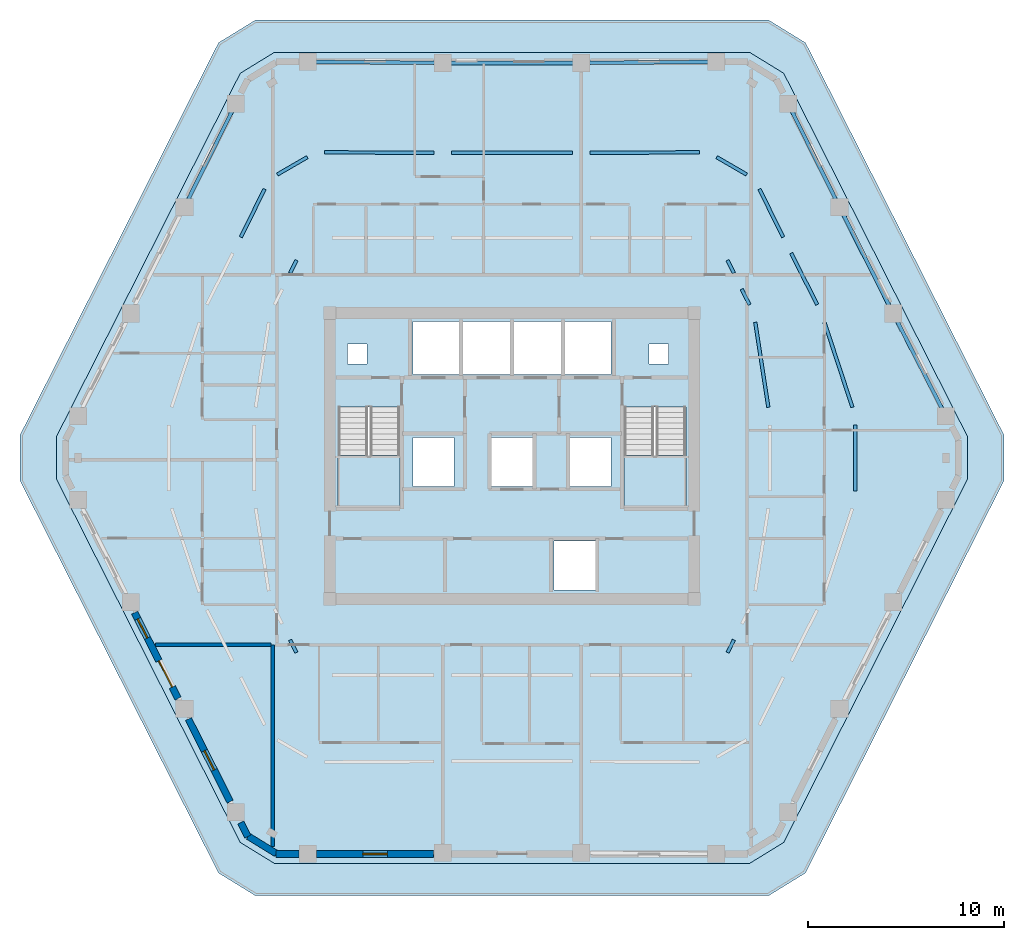
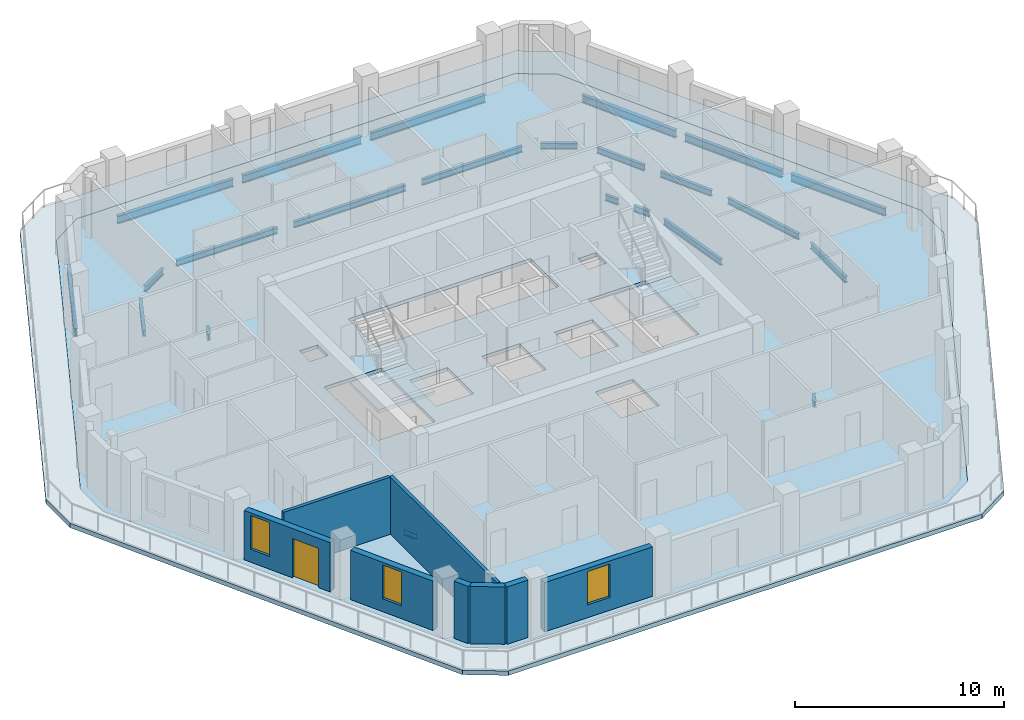
# One storey, part 2 of 10: 23 beams, 8 walls, 4 slabs, 3 windows, 1 door, 4 openings, 2 elements without a shape of their own.
"""IFC4 building model written with IfcOpenShell, lengths in metres."""

from ifc_helpers import new_model, si_unit, direction, frame, frame_2d, origin, origin_2d, place, context, subcontext, project, spatial, polyline, rectangle, i_section, outline, extrude, material, layer, layer_set, material_profile, profile_set, type_object, element, fill, aggregate, save


model = new_model("IFC4")

# Units and contexts
model_context = context("Model", 3, precision=1e-05, world=origin(), true_north=direction((0.0, 1.0)))
body_context = subcontext(model_context, "Body", "Model", "MODEL_VIEW")
ifc_project = project(units=[si_unit("LENGTHUNIT", "METRE"), si_unit("AREAUNIT", "SQUARE_METRE"), si_unit("VOLUMEUNIT", "CUBIC_METRE"), si_unit("PLANEANGLEUNIT", "RADIAN"), si_unit("MASSUNIT", "GRAM", prefix="KILO")], contexts=[model_context])

# Site, building, storey
site_placement = place(None, origin())
site = spatial("IfcSite", under=ifc_project, at=site_placement, CompositionType="ELEMENT")
building_placement = place(site_placement, origin())
building = spatial("IfcBuilding", under=site, at=building_placement, Name="Cinnabar Lancet Tower", CompositionType="ELEMENT")
storey_placement = place(building_placement, frame((0.0, 0.0, 171.89990234375)))
storey = spatial("IfcBuildingStorey", under=building, at=storey_placement, Name="L45", CompositionType="ELEMENT", Elevation=171.89990234375)

# Beams
ifc_material_1 = material(Name="Structural steel S355", Category="steel")
ifc_material_profile_1 = material_profile(ifc_material_1, i_section(OverallWidth=0.17138671875, OverallDepth=0.35498046875, WebThickness=0.00732421875, FlangeThickness=0.011474609375, FilletRadius=0.01025390625, at=origin_2d()), Name="UKB 356x171x51")
ifc_profile_set_1 = profile_set([ifc_material_profile_1], Name="Structural steel S355")
beam_type_1 = type_object("IfcBeamType", Name="STR-BM-JST-356", PredefinedType="JOIST", material=ifc_profile_set_1)
for number, where, z_axis, x_axis, name in (
    (1, (21.077880859375, 16.510009765625, -0.3779296875), (0.445059329596, -0.895501084946, 0.0), (0.895501084946, 0.445059329596, 0.0), "L45 Secondary Floor Joist 6"),
    (2, (43.39892578125, 15.860107421875, -0.3779296875), (0.445059329596, 0.895501084946, 0.0), (-0.895501084946, 0.445059329596, 0.0), "L45 Secondary Floor Joist 16"),
):
    element("IfcBeam", number, at=place(storey_placement, frame(where, z_axis=z_axis, x_axis=x_axis)), inside=storey, type_object=beam_type_1, Name=name, PredefinedType="JOIST", context=body_context, shape_type="SweptSolid", body=[
        extrude(i_section(OverallWidth=0.17138671875, OverallDepth=0.35498046875, WebThickness=0.00732421875, FlangeThickness=0.011474609375, FilletRadius=0.01025390625, at=origin_2d()), origin(), (0.0, 0.0, 1.0), 0.725830078125),
    ])
beam_1_placement = place(storey_placement, frame((49.922119140625, 24.117919921875, -0.3779296875), z_axis=(0.0, 1.0, 0.0), x_axis=(-1.0, 0.0, 0.0)))
element("IfcBeam", 3, at=beam_1_placement, inside=storey, type_object=beam_type_1, Name="L45 Secondary Floor Joist 21", PredefinedType="JOIST", context=body_context, shape_type="SweptSolid", body=[
    extrude(i_section(OverallWidth=0.17138671875, OverallDepth=0.35498046875, WebThickness=0.00732421875, FlangeThickness=0.011474609375, FilletRadius=0.01025390625, at=origin_2d()), origin(), (0.0, 0.0, 1.0), 3.364013671875),
])
beam_2_placement = place(storey_placement, frame((49.77392578125, 28.382080078125, -0.3779296875), z_axis=(-0.311990611032, 0.950085184932, 0.0), x_axis=(-0.950085184932, -0.311990611032, 0.0)))
element("IfcBeam", 4, at=beam_2_placement, inside=storey, type_object=beam_type_1, Name="L45 Secondary Floor Joist 23", PredefinedType="JOIST", context=body_context, shape_type="SweptSolid", body=[
    extrude(i_section(OverallWidth=0.17138671875, OverallDepth=0.35498046875, WebThickness=0.00732421875, FlangeThickness=0.011474609375, FilletRadius=0.01025390625, at=origin_2d()), origin(), (0.0, 0.0, 1.0), 4.56689453125),
])
beam_3_placement = place(storey_placement, frame((45.485107421875, 28.382080078125, -0.3779296875), z_axis=(-0.152211804829, 0.988347897489, 0.0), x_axis=(-0.988347897489, -0.152211804829, 0.0)))
element("IfcBeam", 5, at=beam_3_placement, inside=storey, type_object=beam_type_1, Name="L45 Secondary Floor Joist 24", PredefinedType="JOIST", context=body_context, shape_type="SweptSolid", body=[
    extrude(i_section(OverallWidth=0.17138671875, OverallDepth=0.35498046875, WebThickness=0.00732421875, FlangeThickness=0.011474609375, FilletRadius=0.01025390625, at=origin_2d()), origin(), (0.0, 0.0, 1.0), 4.39013671875),
])
beam_4_placement = place(storey_placement, frame((47.97509765625, 33.62109375, -0.3779296875), z_axis=(-0.449536558697, 0.89326193381, 0.0), x_axis=(-0.89326193381, -0.449536558697, 0.0)))
element("IfcBeam", 6, at=beam_4_placement, inside=storey, type_object=beam_type_1, Name="L45 Secondary Floor Joist 25", PredefinedType="JOIST", context=body_context, shape_type="SweptSolid", body=[
    extrude(i_section(OverallWidth=0.17138671875, OverallDepth=0.35498046875, WebThickness=0.00732421875, FlangeThickness=0.011474609375, FilletRadius=0.01025390625, at=origin_2d()), origin(), (0.0, 0.0, 1.0), 2.94091796875),
])
beam_5_placement = place(storey_placement, frame((44.52294921875, 33.62109375, -0.3779296875), z_axis=(-0.446438936501, 0.894814101351, 0.0), x_axis=(-0.894814101351, -0.446438936501, 0.0)))
element("IfcBeam", 7, at=beam_5_placement, inside=storey, type_object=beam_type_1, Name="L45 Secondary Floor Joist 26", PredefinedType="JOIST", context=body_context, shape_type="SweptSolid", body=[
    extrude(i_section(OverallWidth=0.17138671875, OverallDepth=0.35498046875, WebThickness=0.00732421875, FlangeThickness=0.011474609375, FilletRadius=0.01025390625, at=origin_2d()), origin(), (0.0, 0.0, 1.0), 0.882568359375),
])
beam_6_placement = place(storey_placement, frame((46.2451171875, 37.06396484375, -0.3779296875), z_axis=(-0.444749496282, 0.895655003646, 0.0), x_axis=(-0.895655003646, -0.444749496282, 0.0)))
element("IfcBeam", 8, at=beam_6_placement, inside=storey, type_object=beam_type_1, Name="L45 Secondary Floor Joist 27", PredefinedType="JOIST", context=body_context, shape_type="SweptSolid", body=[
    extrude(i_section(OverallWidth=0.17138671875, OverallDepth=0.35498046875, WebThickness=0.00732421875, FlangeThickness=0.011474609375, FilletRadius=0.01025390625, at=origin_2d()), origin(), (0.0, 0.0, 1.0), 2.736572265625),
])
beam_7_placement = place(storey_placement, frame((43.722900390625, 35.22802734375, -0.3779296875), z_axis=(-0.444406726282, 0.895825128937, 0.0), x_axis=(-0.895825128937, -0.444406726282, 0.0)))
element("IfcBeam", 9, at=beam_7_placement, inside=storey, type_object=beam_type_1, Name="L45 Secondary Floor Joist 28", PredefinedType="JOIST", context=body_context, shape_type="SweptSolid", body=[
    extrude(i_section(OverallWidth=0.17138671875, OverallDepth=0.35498046875, WebThickness=0.00732421875, FlangeThickness=0.011474609375, FilletRadius=0.01025390625, at=origin_2d()), origin(), (0.0, 0.0, 1.0), 0.731201171875),
])
beam_8_placement = place(storey_placement, frame((44.376953125, 40.262939453125, -0.3779296875), z_axis=(-0.86514260571, 0.501525943282, 0.0), x_axis=(-0.501525943282, -0.86514260571, 0.0)))
element("IfcBeam", 10, at=beam_8_placement, inside=storey, type_object=beam_type_1, Name="L45 Secondary Floor Joist 29", PredefinedType="JOIST", context=body_context, shape_type="SweptSolid", body=[
    extrude(i_section(OverallWidth=0.17138671875, OverallDepth=0.35498046875, WebThickness=0.00732421875, FlangeThickness=0.011474609375, FilletRadius=0.01025390625, at=origin_2d()), origin(), (0.0, 0.0, 1.0), 1.7685546875),
])
beam_9_placement = place(storey_placement, frame((41.966064453125, 41.39697265625, -0.3779296875), z_axis=(-0.999985483126, -0.005388277672, 0.0), x_axis=(0.005388277672, -0.999985483126, 0.0)))
element("IfcBeam", 11, at=beam_9_placement, inside=storey, type_object=beam_type_1, Name="L45 Secondary Floor Joist 30", PredefinedType="JOIST", context=body_context, shape_type="SweptSolid", body=[
    extrude(i_section(OverallWidth=0.17138671875, OverallDepth=0.35498046875, WebThickness=0.00732421875, FlangeThickness=0.011474609375, FilletRadius=0.01025390625, at=origin_2d()), origin(), (0.0, 0.0, 1.0), 5.572998046875),
])
beam_10_placement = place(storey_placement, frame((35.492919921875, 41.364990234375, -0.3779296875), z_axis=(-1.0, 0.0, 0.0), x_axis=(0.0, -1.0, 0.0)))
element("IfcBeam", 12, at=beam_10_placement, inside=storey, type_object=beam_type_1, Name="L45 Secondary Floor Joist 32", PredefinedType="JOIST", context=body_context, shape_type="SweptSolid", body=[
    extrude(i_section(OverallWidth=0.17138671875, OverallDepth=0.35498046875, WebThickness=0.00732421875, FlangeThickness=0.011474609375, FilletRadius=0.01025390625, at=origin_2d()), origin(), (0.0, 0.0, 1.0), 6.18603515625),
])
beam_11_placement = place(storey_placement, frame((28.406982421875, 41.366943359375, -0.3779296875), z_axis=(-0.999985483126, 0.005388277672, 0.0), x_axis=(-0.005388277672, -0.999985483126, 0.0)))
element("IfcBeam", 13, at=beam_11_placement, inside=storey, type_object=beam_type_1, Name="L45 Secondary Floor Joist 34", PredefinedType="JOIST", context=body_context, shape_type="SweptSolid", body=[
    extrude(i_section(OverallWidth=0.17138671875, OverallDepth=0.35498046875, WebThickness=0.00732421875, FlangeThickness=0.011474609375, FilletRadius=0.01025390625, at=origin_2d()), origin(), (0.0, 0.0, 1.0), 5.572998046875),
])
beam_12_placement = place(storey_placement, frame((21.952880859375, 41.14990234375, -0.3779296875), z_axis=(-0.865107876683, -0.501585846791, 0.0), x_axis=(0.501585846791, -0.865107876683, 0.0)))
element("IfcBeam", 14, at=beam_12_placement, inside=storey, type_object=beam_type_1, Name="L45 Secondary Floor Joist 36", PredefinedType="JOIST", context=body_context, shape_type="SweptSolid", body=[
    extrude(i_section(OverallWidth=0.17138671875, OverallDepth=0.35498046875, WebThickness=0.00732421875, FlangeThickness=0.011474609375, FilletRadius=0.01025390625, at=origin_2d()), origin(), (0.0, 0.0, 1.0), 1.768310546875),
])
beam_13_placement = place(storey_placement, frame((19.77197265625, 39.514892578125, -0.3779296875), z_axis=(-0.444749496282, -0.895655003646, 0.0), x_axis=(0.895655003646, -0.444749496282, 0.0)))
element("IfcBeam", 15, at=beam_13_placement, inside=storey, type_object=beam_type_1, Name="L45 Secondary Floor Joist 37", PredefinedType="JOIST", context=body_context, shape_type="SweptSolid", body=[
    extrude(i_section(OverallWidth=0.17138671875, OverallDepth=0.35498046875, WebThickness=0.00732421875, FlangeThickness=0.011474609375, FilletRadius=0.01025390625, at=origin_2d()), origin(), (0.0, 0.0, 1.0), 2.736572265625),
])
beam_14_placement = place(storey_placement, frame((21.402099609375, 35.883056640625, -0.3779296875), z_axis=(-0.444674613737, -0.895692183676, 0.0), x_axis=(0.895692183676, -0.444674613737, 0.0)))
element("IfcBeam", 16, at=beam_14_placement, inside=storey, type_object=beam_type_1, Name="L45 Secondary Floor Joist 38", PredefinedType="JOIST", context=body_context, shape_type="SweptSolid", body=[
    extrude(i_section(OverallWidth=0.17138671875, OverallDepth=0.35498046875, WebThickness=0.00732421875, FlangeThickness=0.011474609375, FilletRadius=0.01025390625, at=origin_2d()), origin(), (0.0, 0.0, 1.0), 0.731201171875),
])
ifc_material_2 = material(Name="Structural steel S355", Category="steel")
ifc_material_profile_2 = material_profile(ifc_material_2, i_section(OverallWidth=0.1904296875, OverallDepth=0.45703125, WebThickness=0.009033203125, FlangeThickness=0.014404296875, FilletRadius=0.01025390625, at=origin_2d()), Name="UKB 457x191x74")
ifc_profile_set_2 = profile_set([ifc_material_profile_2], Name="Structural steel S355")
beam_type_2 = type_object("IfcBeamType", Name="STR-BM-SPN-457", PredefinedType="SPANDREL", material=ifc_profile_set_2)
beam_15_placement = place(storey_placement, frame((54.43310546875, 28.154052734375, -0.428955078125), z_axis=(-0.456646764028, 0.889648094981, 0.0), x_axis=(-0.889648094981, -0.456646764028, 0.0)))
element("IfcBeam", 17, at=beam_15_placement, inside=storey, type_object=beam_type_2, Name="L45 Perimeter Spandrel 9", PredefinedType="SPANDREL", context=body_context, shape_type="SweptSolid", body=[
    extrude(i_section(OverallWidth=0.1904296875, OverallDepth=0.45703125, WebThickness=0.009033203125, FlangeThickness=0.014404296875, FilletRadius=0.01025390625, at=origin_2d()), origin(), (0.0, 0.0, 1.0), 5.3896484375),
])
beam_16_placement = place(storey_placement, frame((51.7451171875, 33.39404296875, -0.428955078125), z_axis=(-0.450395996562, 0.892828900899, 0.0), x_axis=(-0.892828900899, -0.450395996562, 0.0)))
element("IfcBeam", 18, at=beam_16_placement, inside=storey, type_object=beam_type_2, Name="L45 Perimeter Spandrel 10", PredefinedType="SPANDREL", context=body_context, shape_type="SweptSolid", body=[
    extrude(i_section(OverallWidth=0.1904296875, OverallDepth=0.45703125, WebThickness=0.009033203125, FlangeThickness=0.014404296875, FilletRadius=0.01025390625, at=origin_2d()), origin(), (0.0, 0.0, 1.0), 5.579833984375),
])
beam_17_placement = place(storey_placement, frame((49.008056640625, 38.822998046875, -0.428955078125), z_axis=(-0.444932986899, 0.895563865489, 0.0), x_axis=(-0.895563865489, -0.444932986899, 0.0)))
element("IfcBeam", 19, at=beam_17_placement, inside=storey, type_object=beam_type_2, Name="L45 Perimeter Spandrel 11", PredefinedType="SPANDREL", context=body_context, shape_type="SweptSolid", body=[
    extrude(i_section(OverallWidth=0.1904296875, OverallDepth=0.45703125, WebThickness=0.009033203125, FlangeThickness=0.014404296875, FilletRadius=0.01025390625, at=origin_2d()), origin(), (0.0, 0.0, 1.0), 5.398681640625),
])
beam_18_placement = place(storey_placement, frame((42.571044921875, 46.009033203125, -0.428955078125), z_axis=(-0.999970401924, -0.007693846685, 0.0), x_axis=(0.007693846685, -0.999970401924, 0.0)))
element("IfcBeam", 20, at=beam_18_placement, inside=storey, type_object=beam_type_2, Name="L45 Perimeter Spandrel 13", PredefinedType="SPANDREL", context=body_context, shape_type="SweptSolid", body=[
    extrude(i_section(OverallWidth=0.1904296875, OverallDepth=0.45703125, WebThickness=0.009033203125, FlangeThickness=0.014404296875, FilletRadius=0.01025390625, at=origin_2d()), origin(), (0.0, 0.0, 1.0), 6.378173828125),
])
beam_19_placement = place(storey_placement, frame((35.693115234375, 45.9580078125, -0.428955078125), z_axis=(-1.0, 0.0, 0.0), x_axis=(0.0, -1.0, 0.0)))
element("IfcBeam", 21, at=beam_19_placement, inside=storey, type_object=beam_type_2, Name="L45 Perimeter Spandrel 14", PredefinedType="SPANDREL", context=body_context, shape_type="SweptSolid", body=[
    extrude(i_section(OverallWidth=0.1904296875, OverallDepth=0.45703125, WebThickness=0.009033203125, FlangeThickness=0.014404296875, FilletRadius=0.01025390625, at=origin_2d()), origin(), (0.0, 0.0, 1.0), 6.586181640625),
])
beam_20_placement = place(storey_placement, frame((28.60693359375, 45.9599609375, -0.428955078125), z_axis=(-0.999970401924, 0.007693846685, 0.0), x_axis=(-0.007693846685, -0.999970401924, 0.0)))
element("IfcBeam", 22, at=beam_20_placement, inside=storey, type_object=beam_type_2, Name="L45 Perimeter Spandrel 15", PredefinedType="SPANDREL", context=body_context, shape_type="SweptSolid", body=[
    extrude(i_section(OverallWidth=0.1904296875, OverallDepth=0.45703125, WebThickness=0.009033203125, FlangeThickness=0.014404296875, FilletRadius=0.01025390625, at=origin_2d()), origin(), (0.0, 0.0, 1.0), 6.378173828125),
])
beam_21_placement = place(storey_placement, frame((18.194091796875, 43.657958984375, -0.428955078125), z_axis=(-0.444932986899, -0.895563865489, 0.0), x_axis=(0.895563865489, -0.444932986899, 0.0)))
element("IfcBeam", 23, at=beam_21_placement, inside=storey, type_object=beam_type_2, Name="L45 Perimeter Spandrel 17", PredefinedType="SPANDREL", context=body_context, shape_type="SweptSolid", body=[
    extrude(i_section(OverallWidth=0.1904296875, OverallDepth=0.45703125, WebThickness=0.009033203125, FlangeThickness=0.014404296875, FilletRadius=0.01025390625, at=origin_2d()), origin(), (0.0, 0.0, 1.0), 5.398681640625),
])

# Stair, slab
ifc_material_3 = material(Name="Concrete C40/50", Category="concrete")
stair_type = type_object("IfcStairType", Name="ST-CORE", PredefinedType="HALF_TURN_STAIR", material=ifc_material_3)
stair_1_placement = place(storey_placement, origin())
stair_1 = element("IfcStair", 24, at=stair_1_placement, inside=storey, type_object=stair_type, Name="L45 ST-1", PredefinedType="HALF_TURN_STAIR")
ifc_material_4 = material(Name="Concrete C40/50", Category="concrete")
ifc_layer_1 = layer(ifc_material_4, 0.199951171875)
ifc_layer_set_1 = layer_set([ifc_layer_1], Name="Concrete C40/50")
slab_type_1 = type_object("IfcSlabType", Name="LANDING-CORE", PredefinedType="LANDING", material=ifc_layer_set_1)
slab_1_placement = place(storey_placement, frame((0.0, 0.0, 1.5751953125)))
slab_1 = element("IfcSlab", 25, at=slab_1_placement, type_object=slab_type_1, Name="ST-1 landing 1", PredefinedType="LANDING", context=body_context, shape_type="SweptSolid", body=[
    extrude(outline(polyline([(23.52490234375, 25.925048828125), (23.52490234375, 23.25), (26.675048828125, 23.25), (26.675048828125, 25.925048828125), (23.52490234375, 25.925048828125)])), origin(), (0.0, 0.0, 1.0), 0.199951171875),
])
aggregate(stair_1, [slab_1])

stair_2_placement = place(storey_placement, origin())
stair_2 = element("IfcStair", 26, at=stair_2_placement, inside=storey, type_object=stair_type, Name="L45 ST-2", PredefinedType="HALF_TURN_STAIR")
slab_2_placement = place(storey_placement, frame((0.0, 0.0, 1.5751953125)))
slab_2 = element("IfcSlab", 27, at=slab_2_placement, type_object=slab_type_1, Name="ST-2 landing 1", PredefinedType="LANDING", context=body_context, shape_type="SweptSolid", body=[
    extrude(outline(polyline([(38.125, 25.925048828125), (38.125, 23.25), (41.27490234375, 23.25), (41.27490234375, 25.925048828125), (38.125, 25.925048828125)])), origin(), (0.0, 0.0, 1.0), 0.199951171875),
])
aggregate(stair_2, [slab_2])

# Slabs
ifc_material_5 = material(Name="Concrete C40/50", Category="concrete")
ifc_layer_2 = layer(ifc_material_5, 0.199951171875)
ifc_layer_set_2 = layer_set([ifc_layer_2], Name="Concrete C40/50")
slab_type_2 = type_object("IfcSlabType", Name="STR-SLB-FLR-200", PredefinedType="FLOOR", material=ifc_layer_set_2)
slab_3_placement = place(storey_placement, frame((0.0, 0.0, -0.199951171875)))
element("IfcSlab", 28, at=slab_3_placement, inside=storey, type_object=slab_type_2, Name="L45 Structural Floor Slab", PredefinedType="FLOOR", context=body_context, shape_type="SweptSolid", body=[
    extrude(outline(polyline([(18.530029296875, 6.1708984375), (20.27197265625, 5.10009765625), (44.528076171875, 5.10009765625), (46.27001953125, 6.1708984375), (55.657958984375, 24.72900390625), (55.657958984375, 26.87109375), (46.27001953125, 45.428955078125), (44.528076171875, 46.5), (20.27197265625, 46.5), (18.530029296875, 45.428955078125), (9.14208984375, 26.87109375), (9.14208984375, 24.72900390625), (18.530029296875, 6.1708984375)]), holes=[polyline([(23.52490234375, 23.25), (26.675048828125, 23.25), (26.675048828125, 28.3994140625), (23.52490234375, 28.3994140625), (23.52490234375, 23.25)]), polyline([(38.125, 23.25), (41.27490234375, 23.25), (41.27490234375, 28.3994140625), (38.125, 28.3994140625), (38.125, 23.25)]), polyline([(27.35009765625, 30.050048828125), (37.449951171875, 30.050048828125), (37.449951171875, 32.75), (27.35009765625, 32.75), (27.35009765625, 30.050048828125)]), polyline([(34.550048828125, 19.050048828125), (36.64990234375, 19.050048828125), (36.64990234375, 21.550048828125), (34.550048828125, 21.550048828125), (34.550048828125, 19.050048828125)]), polyline([(27.35009765625, 24.35009765625), (29.449951171875, 24.35009765625), (29.449951171875, 26.85009765625), (27.35009765625, 26.85009765625), (27.35009765625, 24.35009765625)]), polyline([(35.35009765625, 24.35009765625), (37.449951171875, 24.35009765625), (37.449951171875, 26.85009765625), (35.35009765625, 26.85009765625), (35.35009765625, 24.35009765625)]), polyline([(31.35009765625, 24.35009765625), (33.449951171875, 24.35009765625), (33.449951171875, 26.85009765625), (31.35009765625, 26.85009765625), (31.35009765625, 24.35009765625)]), polyline([(24.0, 30.60009765625), (25.0, 30.60009765625), (25.0, 31.60009765625), (24.0, 31.60009765625), (24.0, 30.60009765625)]), polyline([(39.39990234375, 30.60009765625), (40.39990234375, 30.60009765625), (40.39990234375, 31.60009765625), (39.39990234375, 31.60009765625), (39.39990234375, 30.60009765625)])]), origin(), (0.0, 0.0, 1.0), 0.199951171875),
])
ifc_material_6 = material(Name="Concrete C45/55", Category="concrete")
ifc_layer_3 = layer(ifc_material_6, 0.260009765625)
ifc_layer_set_3 = layer_set([ifc_layer_3], Name="Concrete C45/55")
slab_type_3 = type_object("IfcSlabType", Name="STR-SLB-TER-260", PredefinedType="ROOF", material=ifc_layer_set_3)
slab_4_placement = place(storey_placement, frame((0.0, 0.0, -0.260009765625)))
element("IfcSlab", 29, at=slab_4_placement, inside=storey, type_object=slab_type_3, Name="L45 Planted Setback Roof Terrace Slab", PredefinedType="ROOF", context=body_context, shape_type="SweptSolid", body=[
    extrude(outline(polyline([(17.4208984375, 4.610107421875), (19.30810546875, 3.449951171875), (45.491943359375, 3.449951171875), (47.37890625, 4.610107421875), (57.512939453125, 24.639892578125), (57.512939453125, 26.9599609375), (47.37890625, 46.989990234375), (45.491943359375, 48.14990234375), (19.30810546875, 48.14990234375), (17.4208984375, 46.989990234375), (7.287109375, 26.9599609375), (7.287109375, 24.639892578125), (17.4208984375, 4.610107421875)]), holes=[polyline([(18.530029296875, 6.1708984375), (20.27197265625, 5.10009765625), (44.528076171875, 5.10009765625), (46.27001953125, 6.1708984375), (55.657958984375, 24.72900390625), (55.657958984375, 26.87109375), (46.27001953125, 45.428955078125), (44.528076171875, 46.5), (20.27197265625, 46.5), (18.530029296875, 45.428955078125), (9.14208984375, 26.87109375), (9.14208984375, 24.72900390625), (18.530029296875, 6.1708984375)])]), origin(), (0.0, 0.0, 1.0), 0.260009765625),
])

# Walls
ifc_material_7 = material(Name="Fire-rated twin-frame acoustic drywall", Category="gypsum")
ifc_layer_4 = layer(ifc_material_7, 0.179931640625)
ifc_layer_set_4 = layer_set([ifc_layer_4], Name="Fire-rated twin-frame acoustic drywall")
wall_type_1 = type_object("IfcWallType", Name="ARC-WL-PARTY-180", PredefinedType="PARTITIONING", material=ifc_layer_set_4)
wall_1_placement = place(storey_placement, frame((20.199951171875, 5.968017578125, 0.0), z_axis=(0.0, 0.0, 1.0), x_axis=(0.0, 1.0, 0.0)))
element("IfcWall", 30, at=wall_1_placement, inside=storey, type_object=wall_type_1, Name="PW-L45-SPTY-202", PredefinedType="PARTITIONING", context=body_context, shape_type="SweptSolid", body=[
    extrude(rectangle(XDim=10.281982421875, YDim=0.179931640625, at=frame_2d((5.14111328125, 0.0))), origin(), (0.0, 0.0, 1.0), 3.35009765625),
])
wall_2_placement = place(storey_placement, frame((14.2109375, 16.25, 0.0), z_axis=(0.0, 0.0, 1.0), x_axis=(1.0, 0.0, 0.0)))
element("IfcWall", 31, at=wall_2_placement, inside=storey, type_object=wall_type_1, Name="PW-L45-WSB", PredefinedType="PARTITIONING", context=body_context, shape_type="SweptSolid", body=[
    extrude(rectangle(XDim=5.89404296875, YDim=0.179931640625, at=frame_2d((2.947021484375, 0.0))), origin(), (0.0, 0.0, 1.0), 3.35009765625),
])
ifc_material_8 = material(Name="Cinnabar red clay brick", Category="masonry")
ifc_layer_5 = layer(ifc_material_8, 0.340087890625)
ifc_layer_set_5 = layer_set([ifc_layer_5], Name="Cinnabar red clay brick")
wall_type_2 = type_object("IfcWallType", Name="ENV-WL-BRK-RED-340", PredefinedType="STANDARD", material=ifc_layer_set_5)
wall_3_placement = place(storey_placement, frame((18.93798828125, 6.48388671875, 0.0), z_axis=(0.0, 0.0, 1.0), x_axis=(0.851778214877, -0.523902541185, 0.0)))
element("IfcWall", 32, at=wall_3_placement, inside=storey, type_object=wall_type_2, Name="L45 Chamfered Corner Brick Pier 1.1", PredefinedType="STANDARD", context=body_context, shape_type="SweptSolid", body=[
    extrude(rectangle(XDim=1.677734375, YDim=0.340087890625, at=frame_2d((0.8388671875, 0.0))), origin(), (0.0, 0.0, 1.0), 3.35009765625),
])
wall_4_placement = place(storey_placement, frame((20.362060546875, 5.580078125, 0.0), z_axis=(0.0, 0.0, 1.0), x_axis=(1.0, 0.0, 0.0)))
element("IfcWall", 33, at=wall_4_placement, inside=storey, type_object=wall_type_2, Name="L45 Face 1 Masonry Bay Wall 1", PredefinedType="STANDARD", context=body_context, shape_type="SweptSolid", body=[
    extrude(rectangle(XDim=1.162841796875, YDim=0.340087890625, at=frame_2d((0.58154296875, 0.0))), origin(), (0.0, 0.0, 1.0), 3.35009765625),
])

# Wall, opening, window
wall_5_placement = place(storey_placement, frame((22.43310546875, 5.580078125, 0.0), z_axis=(0.0, 0.0, 1.0), x_axis=(1.0, 0.0, 0.0)))
wall_5 = element("IfcWall", 34, at=wall_5_placement, inside=storey, type_object=wall_type_2, Name="L45 Face 1 Masonry Bay Wall 2", PredefinedType="STANDARD", context=body_context, shape_type="SweptSolid", body=[
    extrude(rectangle(XDim=5.969970703125, YDim=0.340087890625, at=frame_2d((2.98486328125, 0.0))), origin(), (0.0, 0.0, 1.0), 2.883056640625),
])
opening_1_placement = place(wall_5_placement, frame((2.360107421875, 0.0, 0.75)))
opening_1 = element("IfcOpeningElement", 35, at=opening_1_placement, cuts=wall_5, Name="Opening WN-03", PredefinedType="OPENING", context=body_context, shape_type="SweptSolid", body=[
    extrude(rectangle(XDim=1.25, YDim=1.949951171875, at=frame_2d((0.625, 0.97509765625))), frame((0.0, 0.179931640625, 0.0), z_axis=(0.0, -1.0, 0.0), x_axis=(1.0, 0.0, 0.0)), (0.0, 0.0, 1.0), 0.360107421875),
])
ifc_material_9 = material(Name="Thermally broken bronze-anodized aluminium low-E double glazing", Category="aluminium")
window_type_1 = type_object("IfcWindowType", Name="ENV-WN-LANCET-1250", PartitioningType="SINGLE_PANEL", PredefinedType="WINDOW", material=ifc_material_9)
window_1_placement = place(opening_1_placement, origin())
window_1 = element("IfcWindow", 36, at=window_1_placement, inside=storey, type_object=window_type_1, Name="L45 Face 1 Gothic Lancet Window 2", OverallHeight=1.949951171875, OverallWidth=1.25, PartitioningType="SINGLE_PANEL", PredefinedType="WINDOW", context=body_context, shape_type="SweptSolid", body=[
    extrude(rectangle(XDim=1.25, YDim=1.949951171875, at=frame_2d((0.625, 0.97509765625))), frame((0.0, 0.030029296875, 0.0), z_axis=(0.0, -1.0, 0.0), x_axis=(1.0, 0.0, 0.0)), (0.0, 0.0, 1.0), 0.06005859375),
])
fill(opening_1, window_1)

# Wall, openings, door, window
wall_6_placement = place(storey_placement, frame((13.135009765625, 17.89794921875, 0.0), z_axis=(0.0, 0.0, 1.0), x_axis=(0.451544279509, -0.892248711763, 0.0)))
wall_6 = element("IfcWall", 37, at=wall_6_placement, inside=storey, type_object=wall_type_2, Name="L45 Face 6 Masonry Bay Wall 3", PredefinedType="STANDARD", context=body_context, shape_type="SweptSolid", body=[
    extrude(rectangle(XDim=4.909912109375, YDim=0.340087890625, at=frame_2d((2.455078125, 0.0))), origin(), (0.0, 0.0, 1.0), 2.883056640625),
])
opening_2_placement = place(wall_6_placement, frame((2.75390625, 0.0, 0.0)))
opening_2 = element("IfcOpeningElement", 38, at=opening_2_placement, cuts=wall_6, Name="Opening TD-02", PredefinedType="OPENING", context=body_context, shape_type="SweptSolid", body=[
    extrude(rectangle(XDim=1.5, YDim=2.300048828125, at=frame_2d((0.75, 1.14990234375))), frame((0.0, 0.179931640625, 0.0), z_axis=(0.0, -1.0, 0.0), x_axis=(1.0, 0.0, 0.0)), (0.0, 0.0, 1.0), 0.360107421875),
])
opening_3_placement = place(wall_6_placement, frame((0.35302734375, 0.0, 0.75)))
opening_3 = element("IfcOpeningElement", 39, at=opening_3_placement, cuts=wall_6, Name="Opening WN-04", PredefinedType="OPENING", context=body_context, shape_type="SweptSolid", body=[
    extrude(rectangle(XDim=1.10009765625, YDim=1.98291015625, at=frame_2d((0.550048828125, 0.991455078125))), frame((0.0, 0.179931640625, 0.0), z_axis=(0.0, -1.0, 0.0), x_axis=(1.0, 0.0, 0.0)), (0.0, 0.0, 1.0), 0.360107421875),
])
ifc_material_10 = material(Name="Thermally broken low-E glazed sky-terrace double door", Category="wood")
door_type = type_object("IfcDoorType", Name="ARC-DR-STER", OperationType="NOTDEFINED", PredefinedType="DOOR", material=ifc_material_10)
door_placement = place(opening_2_placement, origin())
door = element("IfcDoor", 40, at=door_placement, inside=storey, type_object=door_type, Name="L45 Face 6 Glazed Terrace Door", OperationType="SINGLE_SWING_LEFT", OverallHeight=2.300048828125, OverallWidth=1.5, PredefinedType="DOOR", context=body_context, shape_type="SweptSolid", body=[
    extrude(rectangle(XDim=1.5, YDim=2.300048828125, at=frame_2d((0.75, 1.14990234375))), frame((0.0, 0.02490234375, 0.0), z_axis=(0.0, -1.0, 0.0), x_axis=(1.0, 0.0, 0.0)), (0.0, 0.0, 1.0), 0.050048828125),
])
fill(opening_2, door)
ifc_material_11 = material(Name="Thermally broken bronze-anodized aluminium tall lancet window", Category="aluminium")
window_type_2 = type_object("IfcWindowType", Name="ENV-WN-LANCET-1100", PartitioningType="SINGLE_PANEL", PredefinedType="WINDOW", material=ifc_material_11)
window_2_placement = place(opening_3_placement, origin())
window_2 = element("IfcWindow", 41, at=window_2_placement, inside=storey, type_object=window_type_2, Name="L45 Split-Bay Gothic Lancet Window 134", OverallHeight=1.98291015625, OverallWidth=1.10009765625, PartitioningType="SINGLE_PANEL", PredefinedType="WINDOW", context=body_context, shape_type="SweptSolid", body=[
    extrude(rectangle(XDim=1.10009765625, YDim=1.98291015625, at=frame_2d((0.550048828125, 0.991455078125))), frame((0.0, 0.030029296875, 0.0), z_axis=(0.0, -1.0, 0.0), x_axis=(1.0, 0.0, 0.0)), (0.0, 0.0, 1.0), 0.06005859375),
])
fill(opening_3, window_2)

# Wall, opening, window
wall_7_placement = place(storey_placement, frame((15.881103515625, 12.469970703125, 0.0), z_axis=(0.0, 0.0, 1.0), x_axis=(0.451522864045, -0.892259549259, 0.0)))
wall_7 = element("IfcWall", 42, at=wall_7_placement, inside=storey, type_object=wall_type_2, Name="L45 Face 6 Masonry Bay Wall 4", PredefinedType="STANDARD", context=body_context, shape_type="SweptSolid", body=[
    extrude(rectangle(XDim=4.730712890625, YDim=0.340087890625, at=frame_2d((2.365234375, 0.0))), origin(), (0.0, 0.0, 1.0), 2.883056640625),
])
opening_4_placement = place(wall_7_placement, frame((1.81494140625, 0.0, 0.75)))
opening_4 = element("IfcOpeningElement", 43, at=opening_4_placement, cuts=wall_7, Name="Opening WN-04", PredefinedType="OPENING", context=body_context, shape_type="SweptSolid", body=[
    extrude(rectangle(XDim=1.10009765625, YDim=1.98291015625, at=frame_2d((0.550048828125, 0.991455078125))), frame((0.0, 0.179931640625, 0.0), z_axis=(0.0, -1.0, 0.0), x_axis=(1.0, 0.0, 0.0)), (0.0, 0.0, 1.0), 0.360107421875),
])
window_3_placement = place(opening_4_placement, origin())
window_3 = element("IfcWindow", 44, at=window_3_placement, inside=storey, type_object=window_type_2, Name="L45 Face 6 Gothic Lancet Window 4", OverallHeight=1.98291015625, OverallWidth=1.10009765625, PartitioningType="SINGLE_PANEL", PredefinedType="WINDOW", context=body_context, shape_type="SweptSolid", body=[
    extrude(rectangle(XDim=1.10009765625, YDim=1.98291015625, at=frame_2d((0.550048828125, 0.991455078125))), frame((0.0, 0.030029296875, 0.0), z_axis=(0.0, -1.0, 0.0), x_axis=(1.0, 0.0, 0.0)), (0.0, 0.0, 1.0), 0.06005859375),
])
fill(opening_4, window_3)

# Wall
wall_8_placement = place(storey_placement, frame((18.553955078125, 7.18701171875, 0.0), z_axis=(0.0, 0.0, 1.0), x_axis=(0.451691568309, -0.892174157392, 0.0)))
element("IfcWall", 45, at=wall_8_placement, inside=storey, type_object=wall_type_2, Name="L45 Face 6 Masonry Bay Wall 5", PredefinedType="STANDARD", context=body_context, shape_type="SweptSolid", body=[
    extrude(rectangle(XDim=0.805908203125, YDim=0.340087890625, at=frame_2d((0.40283203125, 0.0))), origin(), (0.0, 0.0, 1.0), 3.35009765625),
])

save(model, "model.ifc")
